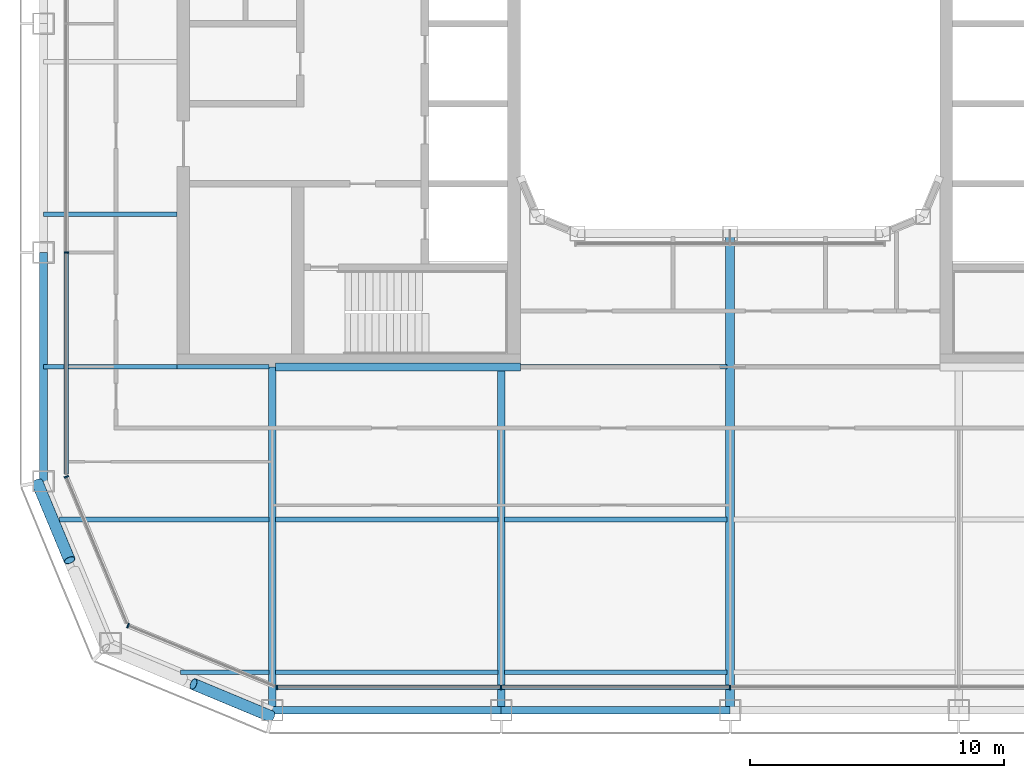
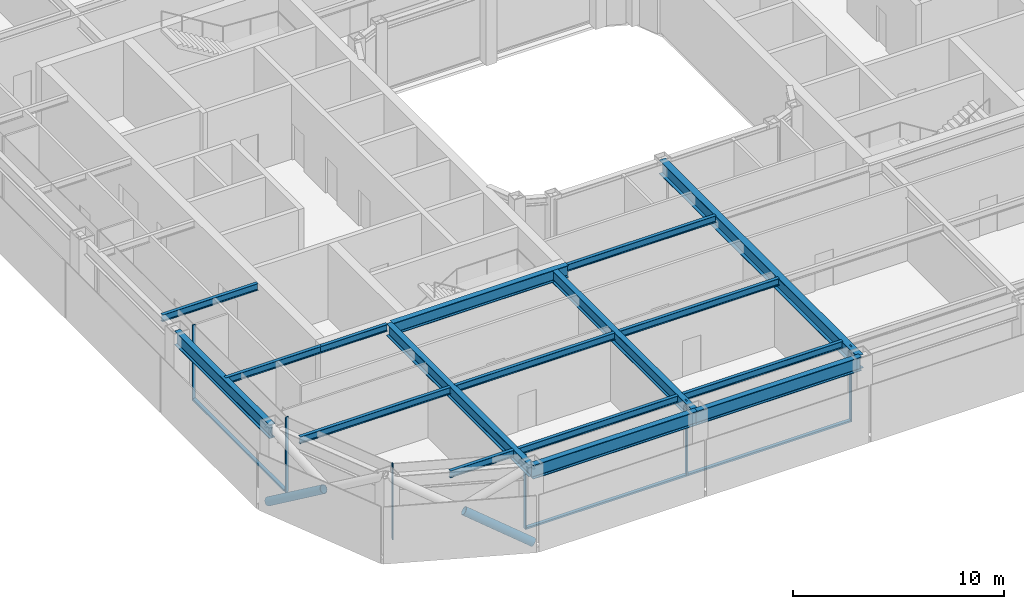
# One storey, part 2 of 19: 17 beams, 11 members, 4 elements without a shape of their own.
"""IFC4 building model written with IfcOpenShell, lengths in metres."""

from ifc_helpers import new_model, si_unit, direction, frame, origin, origin_2d, place, context, subcontext, project, spatial, rectangle, hollow_circle, i_section, extrude, material, layer, layer_set, material_profile, profile_set, type_object, element, aggregate, save


model = new_model("IFC4")

# Units and contexts
model_context = context("Model", 3, precision=1e-05, world=origin(), true_north=direction((0.0, 1.0)))
body_context = subcontext(model_context, "Body", "Model", "MODEL_VIEW")
ifc_project = project(units=[si_unit("LENGTHUNIT", "METRE"), si_unit("AREAUNIT", "SQUARE_METRE"), si_unit("VOLUMEUNIT", "CUBIC_METRE"), si_unit("PLANEANGLEUNIT", "RADIAN"), si_unit("MASSUNIT", "GRAM", prefix="KILO")], contexts=[model_context])

# Site, building, storey
site_placement = place(None, origin())
site = spatial("IfcSite", under=ifc_project, at=site_placement, CompositionType="ELEMENT")
building_placement = place(site_placement, origin())
building = spatial("IfcBuilding", under=site, at=building_placement, Name="Siwar Civic Tower", CompositionType="ELEMENT")
storey_placement = place(building_placement, frame((0.0, 0.0, 210.699951171875)))
storey = spatial("IfcBuildingStorey", under=building, at=storey_placement, Name="L45", CompositionType="ELEMENT", Elevation=210.699951171875)

# Curtain wall, members
ifc_material_1 = material(Name="Aluminium and glass", Category="aluminium")
ifc_layer_1 = layer(ifc_material_1, 0.179931640625)
ifc_layer_set_1 = layer_set([ifc_layer_1], Name="Aluminium and glass")
curtain_wall_type_1 = type_object("IfcCurtainWallType", Name="ENV-CW-C", PredefinedType="NOTDEFINED", material=ifc_layer_set_1)
curtain_wall_1_placement = place(storey_placement, origin())
curtain_wall_1 = element("IfcCurtainWall", 1, at=curtain_wall_1_placement, inside=storey, type_object=curtain_wall_type_1, Name="Curtain wall C S", PredefinedType="NOTDEFINED")
ifc_material_2 = material(Name="Aluminium 6063-T6", Category="aluminium")
ifc_material_profile_1 = material_profile(ifc_material_2, rectangle(XDim=0.179931640625, YDim=0.06005859375, at=origin_2d()), Name="AL 180x60")
ifc_profile_set_1 = profile_set([ifc_material_profile_1], Name="Aluminium 6063-T6")
member_type_1 = type_object("IfcMemberType", Name="ENV-MULLION-C", PredefinedType="MULLION", material=ifc_profile_set_1)
member_1_placement = place(storey_placement, frame((-17.821044921875, -26.10009765625, 0.0), z_axis=(0.0, 0.0, 1.0), x_axis=(0.0, 1.0, 0.0)))
member_1 = element("IfcMember", 2, at=member_1_placement, type_object=member_type_1, Name="Mullion C S 1", PredefinedType="MULLION", context=body_context, shape_type="SweptSolid", body=[
    extrude(rectangle(XDim=0.179931640625, YDim=0.06005859375, at=origin_2d()), origin(), (0.0, 0.0, 1.0), 4.35009765625),
])
member_2_placement = place(storey_placement, frame((-9.0, -26.10009765625, 0.0), z_axis=(0.0, 0.0, 1.0), x_axis=(0.0, 1.0, 0.0)))
member_2 = element("IfcMember", 3, at=member_2_placement, type_object=member_type_1, Name="Mullion C S 2", PredefinedType="MULLION", context=body_context, shape_type="SweptSolid", body=[
    extrude(rectangle(XDim=0.179931640625, YDim=0.06005859375, at=origin_2d()), origin(), (0.0, 0.0, 1.0), 4.35009765625),
])
member_3_placement = place(storey_placement, frame((0.0, -26.10009765625, 0.0), z_axis=(0.0, 0.0, 1.0), x_axis=(0.0, 1.0, 0.0)))
member_3 = element("IfcMember", 4, at=member_3_placement, type_object=member_type_1, Name="Mullion C S 3", PredefinedType="MULLION", context=body_context, shape_type="SweptSolid", body=[
    extrude(rectangle(XDim=0.179931640625, YDim=0.06005859375, at=origin_2d()), origin(), (0.0, 0.0, 1.0), 4.35009765625),
])

# Curtain wall, member
curtain_wall_2_placement = place(storey_placement, origin())
curtain_wall_2 = element("IfcCurtainWall", 5, at=curtain_wall_2_placement, inside=storey, type_object=curtain_wall_type_1, Name="Curtain wall C W", PredefinedType="NOTDEFINED")
member_4_placement = place(storey_placement, frame((-26.10009765625, -9.0, 0.0), z_axis=(0.0, 0.0, 1.0), x_axis=(1.0, 0.0, 0.0)))
member_4 = element("IfcMember", 6, at=member_4_placement, type_object=member_type_1, Name="Mullion C W 4", PredefinedType="MULLION", context=body_context, shape_type="SweptSolid", body=[
    extrude(rectangle(XDim=0.179931640625, YDim=0.06005859375, at=origin_2d()), origin(), (0.0, 0.0, 1.0), 4.35009765625),
])

ifc_material_3 = material(Name="Aluminium clad insulated panel", Category="aluminium")
ifc_layer_2 = layer(ifc_material_3, 0.179931640625)
ifc_layer_set_2 = layer_set([ifc_layer_2], Name="Aluminium clad insulated panel")
curtain_wall_type_2 = type_object("IfcCurtainWallType", Name="ENV-CW-CX", PredefinedType="NOTDEFINED", material=ifc_layer_set_2)
curtain_wall_3_placement = place(storey_placement, origin())
curtain_wall_3 = element("IfcCurtainWall", 7, at=curtain_wall_3_placement, inside=storey, type_object=curtain_wall_type_2, Name="Curtain wall C SW1", PredefinedType="NOTDEFINED")
member_5_placement = place(storey_placement, frame((-26.10009765625, -17.821044921875, 0.0), z_axis=(0.0, 0.0, 1.0), x_axis=(0.923879532511, 0.382683432365, 0.0)))
member_5 = element("IfcMember", 8, at=member_5_placement, type_object=member_type_1, Name="Mullion C SW1 1", PredefinedType="MULLION", context=body_context, shape_type="SweptSolid", body=[
    extrude(rectangle(XDim=0.179931640625, YDim=0.06005859375, at=origin_2d()), origin(), (0.0, 0.0, 1.0), 4.35009765625),
])
aggregate(curtain_wall_3, [member_5])

curtain_wall_4_placement = place(storey_placement, origin())
curtain_wall_4 = element("IfcCurtainWall", 9, at=curtain_wall_4_placement, inside=storey, type_object=curtain_wall_type_2, Name="Curtain wall C SW2", PredefinedType="NOTDEFINED")
member_6_placement = place(storey_placement, frame((-23.675048828125, -23.675048828125, 0.0), z_axis=(0.0, 0.0, 1.0), x_axis=(0.382683432365, 0.923879532511, 0.0)))
member_6 = element("IfcMember", 10, at=member_6_placement, type_object=member_type_1, Name="Mullion C SW2 1", PredefinedType="MULLION", context=body_context, shape_type="SweptSolid", body=[
    extrude(rectangle(XDim=0.179931640625, YDim=0.06005859375, at=origin_2d()), origin(), (0.0, 0.0, 1.0), 4.35009765625),
])
aggregate(curtain_wall_4, [member_6])

# Member
ifc_material_4 = material(Name="Aluminium 6063-T6", Category="aluminium")
ifc_material_profile_2 = material_profile(ifc_material_4, rectangle(XDim=0.179931640625, YDim=0.10009765625, at=origin_2d()), Name="AL 180x100")
ifc_profile_set_2 = profile_set([ifc_material_profile_2], Name="Aluminium 6063-T6")
member_type_2 = type_object("IfcMemberType", Name="ENV-TRANSOM-C", PredefinedType="USERDEFINED", material=ifc_profile_set_2)
member_7_placement = place(storey_placement, frame((-17.791015625, -26.10009765625, 0.050048828125), z_axis=(1.0, 0.0, 0.0), x_axis=(0.0, 1.0, 0.0)))
member_7 = element("IfcMember", 11, at=member_7_placement, type_object=member_type_2, Name="Transom C S 1", ObjectType="TRANSOM", PredefinedType="USERDEFINED", context=body_context, shape_type="SweptSolid", body=[
    extrude(rectangle(XDim=0.179931640625, YDim=0.10009765625, at=origin_2d()), origin(), (0.0, 0.0, 1.0), 8.760986328125),
])

member_8_placement = place(storey_placement, frame((-8.969970703125, -26.10009765625, 0.050048828125), z_axis=(1.0, 0.0, 0.0), x_axis=(0.0, 1.0, 0.0)))
member_8 = element("IfcMember", 12, at=member_8_placement, type_object=member_type_2, Name="Transom C S 2", ObjectType="TRANSOM", PredefinedType="USERDEFINED", context=body_context, shape_type="SweptSolid", body=[
    extrude(rectangle(XDim=0.179931640625, YDim=0.10009765625, at=origin_2d()), origin(), (0.0, 0.0, 1.0), 8.93994140625),
])

aggregate(curtain_wall_1, [member_1, member_2, member_3, member_7, member_8])

member_9_placement = place(storey_placement, frame((-26.10009765625, -9.030029296875, 0.050048828125), z_axis=(0.0, -1.0, 0.0), x_axis=(1.0, 0.0, 0.0)))
member_9 = element("IfcMember", 13, at=member_9_placement, type_object=member_type_2, Name="Transom C W 4", ObjectType="TRANSOM", PredefinedType="USERDEFINED", context=body_context, shape_type="SweptSolid", body=[
    extrude(rectangle(XDim=0.179931640625, YDim=0.10009765625, at=origin_2d()), origin(), (0.0, 0.0, 1.0), 8.68603515625),
])

aggregate(curtain_wall_2, [member_4, member_9])

# Members
ifc_material_5 = material(Name="Steel S355", Category="steel")
ifc_material_profile_3 = material_profile(ifc_material_5, hollow_circle(Radius=0.228515625, WallThickness=0.02001953125, at=origin_2d()), Name="CHS457x20")
ifc_profile_set_3 = profile_set([ifc_material_profile_3], Name="Steel S355")
member_type_3 = type_object("IfcMemberType", Name="STR-BR-CHS457x20", PredefinedType="BRACE", material=ifc_profile_set_3)
for number, where, z_axis, x_axis, name in (
    (14, (-18.048828125, -27.2451171875, 0.0), (-0.777546448489, 0.323884455881, 0.538999424564), (-0.38452107079, -0.92311621485, 0.0), "L45/brc/CSW1-5-0-2"),
    (15, (-27.2451171875, -18.048828125, 0.0), (0.323884455881, -0.777546448489, 0.538999424564), (0.92311621485, 0.38452107079, 0.0), "L45/brc/CSW1-5-0-4"),
):
    element("IfcMember", number, at=place(storey_placement, frame(where, z_axis=z_axis, x_axis=x_axis)), inside=storey, type_object=member_type_3, Name=name, PredefinedType="BRACE", context=body_context, shape_type="SweptSolid", body=[
        extrude(hollow_circle(Radius=0.228515625, WallThickness=0.02001953125, at=origin_2d()), origin(), (0.0, 0.0, 1.0), 3.927978515625),
    ])

# Beams
ifc_material_6 = material(Name="Steel S355", Category="steel")
ifc_material_profile_4 = material_profile(ifc_material_6, i_section(OverallWidth=0.179931640625, OverallDepth=0.39990234375, WebThickness=0.008544921875, FlangeThickness=0.013427734375, FilletRadius=0.02099609375, at=origin_2d()), Name="IPE400")
ifc_profile_set_4 = profile_set([ifc_material_profile_4], Name="Steel S355")
beam_type_1 = type_object("IfcBeamType", Name="STR-FB-IPE400", PredefinedType="JOIST", material=ifc_profile_set_4)
beam_1_placement = place(storey_placement, frame((-21.621337890625, -25.5, 4.150146484375), z_axis=(1.0, 0.0, 0.0), x_axis=(0.0, 1.0, 0.0)))
element("IfcBeam", 16, at=beam_1_placement, inside=storey, type_object=beam_type_1, Name="L45/bm/F001", PredefinedType="JOIST", context=body_context, shape_type="SweptSolid", body=[
    extrude(i_section(OverallWidth=0.179931640625, OverallDepth=0.39990234375, WebThickness=0.008544921875, FlangeThickness=0.013427734375, FilletRadius=0.02099609375, at=origin_2d()), origin(), (0.0, 0.0, 1.0), 3.491455078125),
])
for number, where, z_axis, x_axis, name in (
    (17, (-17.8701171875, -25.5, 4.150146484375), (1.0, 0.0, 0.0), (0.0, 1.0, 0.0), "L45/bm/F002"),
    (18, (-8.8701171875, -25.5, 4.150146484375), (1.0, 0.0, 0.0), (0.0, 1.0, 0.0), "L45/bm/F003"),
):
    element("IfcBeam", number, at=place(storey_placement, frame(where, z_axis=z_axis, x_axis=x_axis)), inside=storey, type_object=beam_type_1, Name=name, PredefinedType="JOIST", context=body_context, shape_type="SweptSolid", body=[
        extrude(i_section(OverallWidth=0.179931640625, OverallDepth=0.39990234375, WebThickness=0.008544921875, FlangeThickness=0.013427734375, FilletRadius=0.02099609375, at=origin_2d()), origin(), (0.0, 0.0, 1.0), 8.740234375),
    ])
beam_2_placement = place(storey_placement, frame((-26.378662109375, -19.5, 4.150146484375), z_axis=(1.0, 0.0, 0.0), x_axis=(0.0, 1.0, 0.0)))
element("IfcBeam", 19, at=beam_2_placement, inside=storey, type_object=beam_type_1, Name="L45/bm/F007", PredefinedType="JOIST", context=body_context, shape_type="SweptSolid", body=[
    extrude(i_section(OverallWidth=0.179931640625, OverallDepth=0.39990234375, WebThickness=0.008544921875, FlangeThickness=0.013427734375, FilletRadius=0.02099609375, at=origin_2d()), origin(), (0.0, 0.0, 1.0), 8.248779296875),
])
for number, where, z_axis, x_axis, name in (
    (20, (-17.8701171875, -19.5, 4.150146484375), (1.0, 0.0, 0.0), (0.0, 1.0, 0.0), "L45/bm/F008"),
    (21, (-8.8701171875, -19.5, 4.150146484375), (1.0, 0.0, 0.0), (0.0, 1.0, 0.0), "L45/bm/F009"),
):
    element("IfcBeam", number, at=place(storey_placement, frame(where, z_axis=z_axis, x_axis=x_axis)), inside=storey, type_object=beam_type_1, Name=name, PredefinedType="JOIST", context=body_context, shape_type="SweptSolid", body=[
        extrude(i_section(OverallWidth=0.179931640625, OverallDepth=0.39990234375, WebThickness=0.008544921875, FlangeThickness=0.013427734375, FilletRadius=0.02099609375, at=origin_2d()), origin(), (0.0, 0.0, 1.0), 8.740234375),
    ])
beam_3_placement = place(storey_placement, frame((-27.0, -13.5, 4.150146484375), z_axis=(1.0, 0.0, 0.0), x_axis=(0.0, 1.0, 0.0)))
element("IfcBeam", 22, at=beam_3_placement, inside=storey, type_object=beam_type_1, Name="L45/bm/F013", PredefinedType="JOIST", context=body_context, shape_type="SweptSolid", body=[
    extrude(i_section(OverallWidth=0.179931640625, OverallDepth=0.39990234375, WebThickness=0.008544921875, FlangeThickness=0.013427734375, FilletRadius=0.02099609375, at=origin_2d()), origin(), (0.0, 0.0, 1.0), 5.25),
])
beam_4_placement = place(storey_placement, frame((-21.75, -13.5, 4.150146484375), z_axis=(1.0, 0.0, 0.0), x_axis=(0.0, 1.0, 0.0)))
element("IfcBeam", 23, at=beam_4_placement, inside=storey, type_object=beam_type_1, Name="L45/bm/F014", PredefinedType="JOIST", context=body_context, shape_type="SweptSolid", body=[
    extrude(i_section(OverallWidth=0.179931640625, OverallDepth=0.39990234375, WebThickness=0.008544921875, FlangeThickness=0.013427734375, FilletRadius=0.02099609375, at=origin_2d()), origin(), (0.0, 0.0, 1.0), 3.6201171875),
])
beam_5_placement = place(storey_placement, frame((-8.25, -13.5, 4.150146484375), z_axis=(1.0, 0.0, 0.0), x_axis=(0.0, 1.0, 0.0)))
element("IfcBeam", 24, at=beam_5_placement, inside=storey, type_object=beam_type_1, Name="L45/bm/F016", PredefinedType="JOIST", context=body_context, shape_type="SweptSolid", body=[
    extrude(i_section(OverallWidth=0.179931640625, OverallDepth=0.39990234375, WebThickness=0.008544921875, FlangeThickness=0.013427734375, FilletRadius=0.02099609375, at=origin_2d()), origin(), (0.0, 0.0, 1.0), 8.1201171875),
])
beam_6_placement = place(storey_placement, frame((-27.0, -7.5, 4.150146484375), z_axis=(1.0, 0.0, 0.0), x_axis=(0.0, 1.0, 0.0)))
element("IfcBeam", 25, at=beam_6_placement, inside=storey, type_object=beam_type_1, Name="L45/bm/F021", PredefinedType="JOIST", context=body_context, shape_type="SweptSolid", body=[
    extrude(i_section(OverallWidth=0.179931640625, OverallDepth=0.39990234375, WebThickness=0.008544921875, FlangeThickness=0.013427734375, FilletRadius=0.02099609375, at=origin_2d()), origin(), (0.0, 0.0, 1.0), 5.25),
])
ifc_material_7 = material(Name="Steel S355", Category="steel")
ifc_material_profile_5 = material_profile(ifc_material_7, i_section(OverallWidth=0.300048828125, OverallDepth=0.699951171875, WebThickness=0.01708984375, FlangeThickness=0.031982421875, FilletRadius=0.027099609375, at=origin_2d()), Name="HEB700")
ifc_profile_set_5 = profile_set([ifc_material_profile_5], Name="Steel S355")
beam_type_2 = type_object("IfcBeamType", Name="STR-PG-HEB700", PredefinedType="BEAM", material=ifc_profile_set_5)
for number, where, z_axis, x_axis, name in (
    (26, (-18.0, -27.0, 4.0), (0.0, 1.0, 0.0), (-1.0, 0.0, 0.0), "L45/bm/G01"),
    (27, (-9.0, -27.0, 4.0), (0.0, 1.0, 0.0), (-1.0, 0.0, 0.0), "L45/bm/G03"),
):
    element("IfcBeam", number, at=place(storey_placement, frame(where, z_axis=z_axis, x_axis=x_axis)), inside=storey, type_object=beam_type_2, Name=name, PredefinedType="BEAM", context=body_context, shape_type="SweptSolid", body=[
        extrude(i_section(OverallWidth=0.300048828125, OverallDepth=0.699951171875, WebThickness=0.01708984375, FlangeThickness=0.031982421875, FilletRadius=0.027099609375, at=origin_2d()), origin(), (0.0, 0.0, 1.0), 13.5),
    ])
beam_7_placement = place(storey_placement, frame((-17.8701171875, -13.5, 4.0), z_axis=(1.0, 0.0, 0.0), x_axis=(0.0, 1.0, 0.0)))
element("IfcBeam", 28, at=beam_7_placement, inside=storey, type_object=beam_type_2, Name="L45/bm/F015", PredefinedType="BEAM", context=body_context, shape_type="SweptSolid", body=[
    extrude(i_section(OverallWidth=0.300048828125, OverallDepth=0.699951171875, WebThickness=0.01708984375, FlangeThickness=0.031982421875, FilletRadius=0.027099609375, at=origin_2d()), origin(), (0.0, 0.0, 1.0), 9.6201171875),
])
ifc_material_8 = material(Name="Steel S355", Category="steel")
ifc_material_profile_6 = material_profile(ifc_material_8, i_section(OverallWidth=0.360107421875, OverallDepth=0.800048828125, WebThickness=0.013916015625, FlangeThickness=0.031982421875, at=origin_2d()), Name="PG800x360x14x32")
ifc_profile_set_6 = profile_set([ifc_material_profile_6], Name="Steel S355")
beam_type_3 = type_object("IfcBeamType", Name="STR-PG-PG800x360x14x32", PredefinedType="BEAM", material=ifc_profile_set_6)
beam_8_placement = place(storey_placement, frame((0.0, -27.0, 3.949951171875), z_axis=(0.0, 1.0, 0.0), x_axis=(-1.0, 0.0, 0.0)))
element("IfcBeam", 29, at=beam_8_placement, inside=storey, type_object=beam_type_3, Name="L45/bm/G05", PredefinedType="BEAM", context=body_context, shape_type="SweptSolid", body=[
    extrude(i_section(OverallWidth=0.360107421875, OverallDepth=0.800048828125, WebThickness=0.013916015625, FlangeThickness=0.031982421875, at=origin_2d()), origin(), (0.0, 0.0, 1.0), 18.75),
])
ifc_material_9 = material(Name="Steel S355", Category="steel")
ifc_material_profile_7 = material_profile(ifc_material_9, i_section(OverallWidth=0.300048828125, OverallDepth=0.800048828125, WebThickness=0.017578125, FlangeThickness=0.032958984375, FilletRadius=0.030029296875, at=origin_2d()), Name="HEB800")
ifc_profile_set_7 = profile_set([ifc_material_profile_7], Name="Steel S355")
beam_type_4 = type_object("IfcBeamType", Name="STR-SB-HEB800", PredefinedType="BEAM", material=ifc_profile_set_7)
for number, where, z_axis, x_axis, name in (
    (30, (-18.0, -27.0, 3.949951171875), (1.0, 0.0, 0.0), (0.0, 1.0, 0.0), "L45/bm/SS-0"),
    (31, (-9.0, -27.0, 3.949951171875), (1.0, 0.0, 0.0), (0.0, 1.0, 0.0), "L45/bm/SS-1"),
    (32, (-27.0, -9.0, 3.949951171875), (0.0, -1.0, 0.0), (1.0, 0.0, 0.0), "L45/bm/SW-3"),
):
    element("IfcBeam", number, at=place(storey_placement, frame(where, z_axis=z_axis, x_axis=x_axis)), inside=storey, type_object=beam_type_4, Name=name, PredefinedType="BEAM", context=body_context, shape_type="SweptSolid", body=[
        extrude(i_section(OverallWidth=0.300048828125, OverallDepth=0.800048828125, WebThickness=0.017578125, FlangeThickness=0.032958984375, FilletRadius=0.030029296875, at=origin_2d()), origin(), (0.0, 0.0, 1.0), 9.0),
    ])

save(model, "model.ifc")
